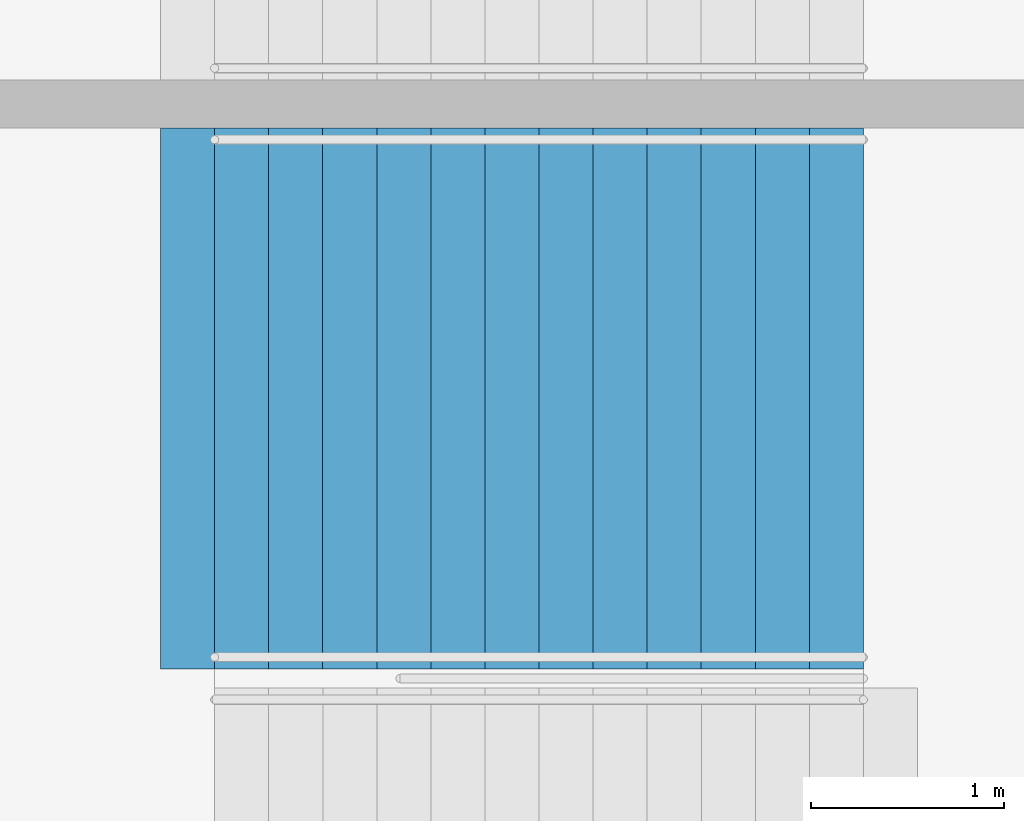
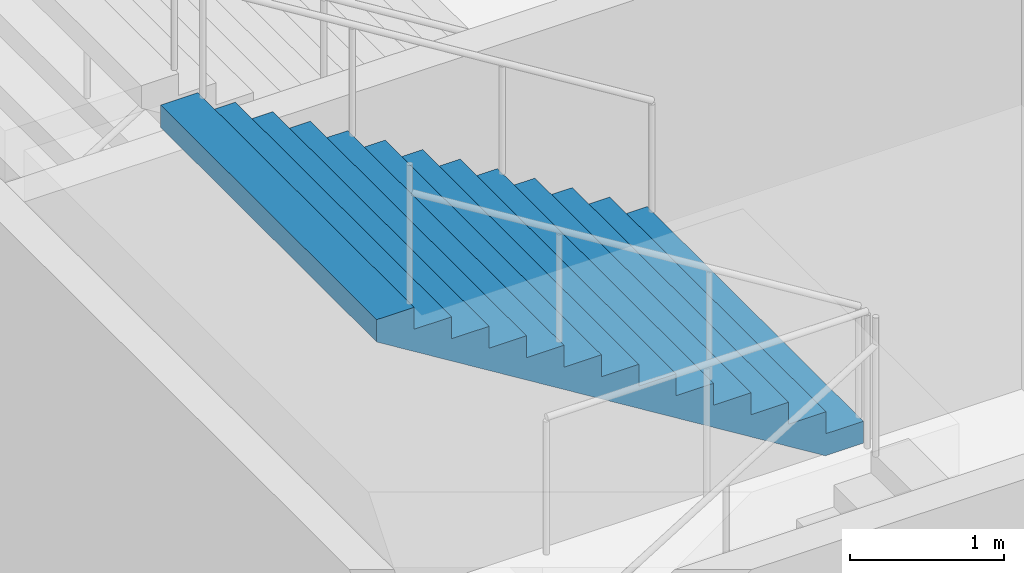
# One storey, part 95 of 175: 1 stair flight, 1 element without a shape of its own.
"""IFC4 building model written with IfcOpenShell, lengths in metres."""

from ifc_helpers import new_model, si_unit, direction, frame, origin, place, context, subcontext, project, spatial, faceted_brep, material, type_object, element, aggregate, save


model = new_model("IFC4")

# Units and contexts
model_context = context("Model", 3, precision=1e-05, world=origin(), true_north=direction((0.0, 1.0)))
body_context = subcontext(model_context, "Body", "Model", "MODEL_VIEW")
ifc_project = project(units=[si_unit("LENGTHUNIT", "METRE"), si_unit("AREAUNIT", "SQUARE_METRE"), si_unit("VOLUMEUNIT", "CUBIC_METRE"), si_unit("PLANEANGLEUNIT", "RADIAN"), si_unit("MASSUNIT", "GRAM", prefix="KILO")], contexts=[model_context])

# Site, building, storey
site_placement = place(None, origin())
site = spatial("IfcSite", under=ifc_project, at=site_placement, CompositionType="ELEMENT")
building_placement = place(site_placement, origin())
building = spatial("IfcBuilding", under=site, at=building_placement, Name="Ogive Plaza Stadium", CompositionType="ELEMENT")
storey_placement = place(building_placement, origin())
storey = spatial("IfcBuildingStorey", under=building, at=storey_placement, Name="L00", CompositionType="ELEMENT", Elevation=0.0)

# Stair, stair flight
ifc_material_1 = material(Name="Concrete C40/50", Category="concrete")
stair_type = type_object("IfcStairType", Name="Exit stair", PredefinedType="STRAIGHT_RUN_STAIR", material=ifc_material_1)
stair_placement = place(storey_placement, origin())
stair = element("IfcStair", 1, at=stair_placement, inside=storey, type_object=stair_type, Name="Exit stair ST08A L00 to L01", PredefinedType="STRAIGHT_RUN_STAIR")
ifc_material_2 = material(Name="Concrete C40/50", Category="concrete")
stair_flight_type = type_object("IfcStairFlightType", Name="Exit stair flight", PredefinedType="STRAIGHT", material=ifc_material_2)
stair_flight_placement = place(storey_placement, frame((79.7099609375, -54.02490234375, 2.25), z_axis=(0.0, 0.0, 1.0), x_axis=(-1.0, 0.0, 0.0)))
stair_flight = element("IfcStairFlight", 2, at=stair_flight_placement, type_object=stair_flight_type, Name="ST08A flight 2", NumberOfRisers=13, NumberOfTreads=12, PredefinedType="STRAIGHT", RiserHeight=0.173076923, TreadLength=0.28, context=body_context, shape_type="Brep", body=[
    faceted_brep([(0.28515625, -1.39990234375, 0.0), (3.639892578125, -1.39990234375, 2.07373046875), (3.639892578125, -1.39990234375, 2.25), (3.360107421875, -1.39990234375, 2.25), (3.360107421875, -1.39990234375, 2.076904296875), (3.080078125, -1.39990234375, 2.076904296875), (3.080078125, -1.39990234375, 1.90380859375), (2.800048828125, -1.39990234375, 1.90380859375), (2.800048828125, -1.39990234375, 1.730712890625), (2.52001953125, -1.39990234375, 1.730712890625), (2.52001953125, -1.39990234375, 1.5576171875), (2.239990234375, -1.39990234375, 1.5576171875), (2.239990234375, -1.39990234375, 1.384521484375), (1.9599609375, -1.39990234375, 1.384521484375), (1.9599609375, -1.39990234375, 1.21142578125), (1.679931640625, -1.39990234375, 1.21142578125), (1.679931640625, -1.39990234375, 1.03857421875), (1.39990234375, -1.39990234375, 1.03857421875), (1.39990234375, -1.39990234375, 0.865478515625), (1.1201171875, -1.39990234375, 0.865478515625), (1.1201171875, -1.39990234375, 0.6923828125), (0.840087890625, -1.39990234375, 0.6923828125), (0.840087890625, -1.39990234375, 0.519287109375), (0.56005859375, -1.39990234375, 0.519287109375), (0.56005859375, -1.39990234375, 0.34619140625), (0.280029296875, -1.39990234375, 0.34619140625), (0.280029296875, -1.39990234375, 0.173095703125), (0.0, -1.39990234375, 0.173095703125), (0.0, -1.39990234375, 0.0), (0.0, 1.39990234375, 0.0), (0.0, 1.39990234375, 0.173095703125), (0.280029296875, 1.39990234375, 0.173095703125), (0.280029296875, 1.39990234375, 0.34619140625), (0.56005859375, 1.39990234375, 0.34619140625), (0.56005859375, 1.39990234375, 0.519287109375), (0.840087890625, 1.39990234375, 0.519287109375), (0.840087890625, 1.39990234375, 0.6923828125), (1.1201171875, 1.39990234375, 0.6923828125), (1.1201171875, 1.39990234375, 0.865478515625), (1.39990234375, 1.39990234375, 0.865478515625), (1.39990234375, 1.39990234375, 1.03857421875), (1.679931640625, 1.39990234375, 1.03857421875), (1.679931640625, 1.39990234375, 1.21142578125), (1.9599609375, 1.39990234375, 1.21142578125), (1.9599609375, 1.39990234375, 1.384521484375), (2.239990234375, 1.39990234375, 1.384521484375), (2.239990234375, 1.39990234375, 1.5576171875), (2.52001953125, 1.39990234375, 1.5576171875), (2.52001953125, 1.39990234375, 1.730712890625), (2.800048828125, 1.39990234375, 1.730712890625), (2.800048828125, 1.39990234375, 1.90380859375), (3.080078125, 1.39990234375, 1.90380859375), (3.080078125, 1.39990234375, 2.076904296875), (3.360107421875, 1.39990234375, 2.076904296875), (3.360107421875, 1.39990234375, 2.25), (3.639892578125, 1.39990234375, 2.25), (3.639892578125, 1.39990234375, 2.07373046875), (0.28515625, 1.39990234375, 0.0), (0.28515625, -1.0888671875, 0.0), (3.639892578125, -1.0888671875, 2.07373046875), (0.28515625, -0.77783203125, 0.0), (3.639892578125, -0.77783203125, 2.07373046875), (0.28515625, -0.466796875, 0.0), (3.639892578125, -0.466796875, 2.07373046875), (0.28515625, -0.155517578125, 0.0), (3.639892578125, -0.155517578125, 2.07373046875), (0.28515625, 0.155517578125, 0.0), (3.639892578125, 0.155517578125, 2.07373046875), (0.28515625, 0.466796875, 0.0), (3.639892578125, 0.466796875, 2.07373046875), (0.28515625, 0.77783203125, 0.0), (3.639892578125, 0.77783203125, 2.07373046875), (0.28515625, 1.0888671875, 0.0), (3.639892578125, 1.0888671875, 2.07373046875), (3.639892578125, -1.0888671875, 2.25), (3.639892578125, -0.77783203125, 2.25), (3.639892578125, -0.466796875, 2.25), (3.639892578125, -0.155517578125, 2.25), (3.639892578125, 0.155517578125, 2.25), (3.639892578125, 0.466796875, 2.25), (3.639892578125, 0.77783203125, 2.25), (3.639892578125, 1.0888671875, 2.25), (3.360107421875, -1.0888671875, 2.25), (3.360107421875, -0.77783203125, 2.25), (3.360107421875, -0.466796875, 2.25), (3.360107421875, -0.155517578125, 2.25), (3.360107421875, 0.155517578125, 2.25), (3.360107421875, 0.466796875, 2.25), (3.360107421875, 0.77783203125, 2.25), (3.360107421875, 1.0888671875, 2.25), (3.360107421875, -1.0888671875, 2.076904296875), (3.360107421875, -0.77783203125, 2.076904296875), (3.360107421875, -0.466796875, 2.076904296875), (3.360107421875, -0.155517578125, 2.076904296875), (3.360107421875, 0.155517578125, 2.076904296875), (3.360107421875, 0.466796875, 2.076904296875), (3.360107421875, 0.77783203125, 2.076904296875), (3.360107421875, 1.0888671875, 2.076904296875), (3.080078125, -1.0888671875, 2.076904296875), (3.080078125, -0.77783203125, 2.076904296875), (3.080078125, -0.466796875, 2.076904296875), (3.080078125, -0.155517578125, 2.076904296875), (3.080078125, 0.155517578125, 2.076904296875), (3.080078125, 0.466796875, 2.076904296875), (3.080078125, 0.77783203125, 2.076904296875), (3.080078125, 1.0888671875, 2.076904296875), (3.080078125, -1.0888671875, 1.90380859375), (3.080078125, -0.77783203125, 1.90380859375), (3.080078125, -0.466796875, 1.90380859375), (3.080078125, -0.155517578125, 1.90380859375), (3.080078125, 0.155517578125, 1.90380859375), (3.080078125, 0.466796875, 1.90380859375), (3.080078125, 0.77783203125, 1.90380859375), (3.080078125, 1.0888671875, 1.90380859375), (2.800048828125, -1.0888671875, 1.90380859375), (2.800048828125, -0.77783203125, 1.90380859375), (2.800048828125, -0.466796875, 1.90380859375), (2.800048828125, -0.155517578125, 1.90380859375), (2.800048828125, 0.155517578125, 1.90380859375), (2.800048828125, 0.466796875, 1.90380859375), (2.800048828125, 0.77783203125, 1.90380859375), (2.800048828125, 1.0888671875, 1.90380859375), (2.800048828125, -1.0888671875, 1.730712890625), (2.800048828125, -0.77783203125, 1.730712890625), (2.800048828125, -0.466796875, 1.730712890625), (2.800048828125, -0.155517578125, 1.730712890625), (2.800048828125, 0.155517578125, 1.730712890625), (2.800048828125, 0.466796875, 1.730712890625), (2.800048828125, 0.77783203125, 1.730712890625), (2.800048828125, 1.0888671875, 1.730712890625), (2.52001953125, -1.0888671875, 1.730712890625), (2.52001953125, -0.77783203125, 1.730712890625), (2.52001953125, -0.466796875, 1.730712890625), (2.52001953125, -0.155517578125, 1.730712890625), (2.52001953125, 0.155517578125, 1.730712890625), (2.52001953125, 0.466796875, 1.730712890625), (2.52001953125, 0.77783203125, 1.730712890625), (2.52001953125, 1.0888671875, 1.730712890625), (2.52001953125, -1.0888671875, 1.5576171875), (2.52001953125, -0.77783203125, 1.5576171875), (2.52001953125, -0.466796875, 1.5576171875), (2.52001953125, -0.155517578125, 1.5576171875), (2.52001953125, 0.155517578125, 1.5576171875), (2.52001953125, 0.466796875, 1.5576171875), (2.52001953125, 0.77783203125, 1.5576171875), (2.52001953125, 1.0888671875, 1.5576171875), (2.239990234375, -1.0888671875, 1.5576171875), (2.239990234375, -0.77783203125, 1.5576171875), (2.239990234375, -0.466796875, 1.5576171875), (2.239990234375, -0.155517578125, 1.5576171875), (2.239990234375, 0.155517578125, 1.5576171875), (2.239990234375, 0.466796875, 1.5576171875), (2.239990234375, 0.77783203125, 1.5576171875), (2.239990234375, 1.0888671875, 1.5576171875), (2.239990234375, -1.0888671875, 1.384521484375), (2.239990234375, -0.77783203125, 1.384521484375), (2.239990234375, -0.466796875, 1.384521484375), (2.239990234375, -0.155517578125, 1.384521484375), (2.239990234375, 0.155517578125, 1.384521484375), (2.239990234375, 0.466796875, 1.384521484375), (2.239990234375, 0.77783203125, 1.384521484375), (2.239990234375, 1.0888671875, 1.384521484375), (1.9599609375, -1.0888671875, 1.384521484375), (1.9599609375, -0.77783203125, 1.384521484375), (1.9599609375, -0.466796875, 1.384521484375), (1.9599609375, -0.155517578125, 1.384521484375), (1.9599609375, 0.155517578125, 1.384521484375), (1.9599609375, 0.466796875, 1.384521484375), (1.9599609375, 0.77783203125, 1.384521484375), (1.9599609375, 1.0888671875, 1.384521484375), (1.9599609375, -1.0888671875, 1.21142578125), (1.9599609375, -0.77783203125, 1.21142578125), (1.9599609375, -0.466796875, 1.21142578125), (1.9599609375, -0.155517578125, 1.21142578125), (1.9599609375, 0.155517578125, 1.21142578125), (1.9599609375, 0.466796875, 1.21142578125), (1.9599609375, 0.77783203125, 1.21142578125), (1.9599609375, 1.0888671875, 1.21142578125), (1.679931640625, -1.0888671875, 1.21142578125), (1.679931640625, -0.77783203125, 1.21142578125), (1.679931640625, -0.466796875, 1.21142578125), (1.679931640625, -0.155517578125, 1.21142578125), (1.679931640625, 0.155517578125, 1.21142578125), (1.679931640625, 0.466796875, 1.21142578125), (1.679931640625, 0.77783203125, 1.21142578125), (1.679931640625, 1.0888671875, 1.21142578125), (1.679931640625, -1.0888671875, 1.03857421875), (1.679931640625, -0.77783203125, 1.03857421875), (1.679931640625, -0.466796875, 1.03857421875), (1.679931640625, -0.155517578125, 1.03857421875), (1.679931640625, 0.155517578125, 1.03857421875), (1.679931640625, 0.466796875, 1.03857421875), (1.679931640625, 0.77783203125, 1.03857421875), (1.679931640625, 1.0888671875, 1.03857421875), (1.39990234375, -1.0888671875, 1.03857421875), (1.39990234375, -0.77783203125, 1.03857421875), (1.39990234375, -0.466796875, 1.03857421875), (1.39990234375, -0.155517578125, 1.03857421875), (1.39990234375, 0.155517578125, 1.03857421875), (1.39990234375, 0.466796875, 1.03857421875), (1.39990234375, 0.77783203125, 1.03857421875), (1.39990234375, 1.0888671875, 1.03857421875), (1.39990234375, -1.0888671875, 0.865478515625), (1.39990234375, -0.77783203125, 0.865478515625), (1.39990234375, -0.466796875, 0.865478515625), (1.39990234375, -0.155517578125, 0.865478515625), (1.39990234375, 0.155517578125, 0.865478515625), (1.39990234375, 0.466796875, 0.865478515625), (1.39990234375, 0.77783203125, 0.865478515625), (1.39990234375, 1.0888671875, 0.865478515625), (1.1201171875, -1.0888671875, 0.865478515625), (1.1201171875, -0.77783203125, 0.865478515625), (1.1201171875, -0.466796875, 0.865478515625), (1.1201171875, -0.155517578125, 0.865478515625), (1.1201171875, 0.155517578125, 0.865478515625), (1.1201171875, 0.466796875, 0.865478515625), (1.1201171875, 0.77783203125, 0.865478515625), (1.1201171875, 1.0888671875, 0.865478515625), (1.1201171875, -1.0888671875, 0.6923828125), (1.1201171875, -0.77783203125, 0.6923828125), (1.1201171875, -0.466796875, 0.6923828125), (1.1201171875, -0.155517578125, 0.6923828125), (1.1201171875, 0.155517578125, 0.6923828125), (1.1201171875, 0.466796875, 0.6923828125), (1.1201171875, 0.77783203125, 0.6923828125), (1.1201171875, 1.0888671875, 0.6923828125), (0.840087890625, -1.0888671875, 0.6923828125), (0.840087890625, -0.77783203125, 0.6923828125), (0.840087890625, -0.466796875, 0.6923828125), (0.840087890625, -0.155517578125, 0.6923828125), (0.840087890625, 0.155517578125, 0.6923828125), (0.840087890625, 0.466796875, 0.6923828125), (0.840087890625, 0.77783203125, 0.6923828125), (0.840087890625, 1.0888671875, 0.6923828125), (0.840087890625, -1.0888671875, 0.519287109375), (0.840087890625, -0.77783203125, 0.519287109375), (0.840087890625, -0.466796875, 0.519287109375), (0.840087890625, -0.155517578125, 0.519287109375), (0.840087890625, 0.155517578125, 0.519287109375), (0.840087890625, 0.466796875, 0.519287109375), (0.840087890625, 0.77783203125, 0.519287109375), (0.840087890625, 1.0888671875, 0.519287109375), (0.56005859375, -1.0888671875, 0.519287109375), (0.56005859375, -0.77783203125, 0.519287109375), (0.56005859375, -0.466796875, 0.519287109375), (0.56005859375, -0.155517578125, 0.519287109375), (0.56005859375, 0.155517578125, 0.519287109375), (0.56005859375, 0.466796875, 0.519287109375), (0.56005859375, 0.77783203125, 0.519287109375), (0.56005859375, 1.0888671875, 0.519287109375), (0.56005859375, -1.0888671875, 0.34619140625), (0.56005859375, -0.77783203125, 0.34619140625), (0.56005859375, -0.466796875, 0.34619140625), (0.56005859375, -0.155517578125, 0.34619140625), (0.56005859375, 0.155517578125, 0.34619140625), (0.56005859375, 0.466796875, 0.34619140625), (0.56005859375, 0.77783203125, 0.34619140625), (0.56005859375, 1.0888671875, 0.34619140625), (0.280029296875, -1.0888671875, 0.34619140625), (0.280029296875, -0.77783203125, 0.34619140625), (0.280029296875, -0.466796875, 0.34619140625), (0.280029296875, -0.155517578125, 0.34619140625), (0.280029296875, 0.155517578125, 0.34619140625), (0.280029296875, 0.466796875, 0.34619140625), (0.280029296875, 0.77783203125, 0.34619140625), (0.280029296875, 1.0888671875, 0.34619140625), (0.280029296875, -1.0888671875, 0.173095703125), (0.280029296875, -0.77783203125, 0.173095703125), (0.280029296875, -0.466796875, 0.173095703125), (0.280029296875, -0.155517578125, 0.173095703125), (0.280029296875, 0.155517578125, 0.173095703125), (0.280029296875, 0.466796875, 0.173095703125), (0.280029296875, 0.77783203125, 0.173095703125), (0.280029296875, 1.0888671875, 0.173095703125), (0.0, -1.0888671875, 0.173095703125), (0.0, -0.77783203125, 0.173095703125), (0.0, -0.466796875, 0.173095703125), (0.0, -0.155517578125, 0.173095703125), (0.0, 0.155517578125, 0.173095703125), (0.0, 0.466796875, 0.173095703125), (0.0, 0.77783203125, 0.173095703125), (0.0, 1.0888671875, 0.173095703125), (0.0, -1.0888671875, 0.0), (0.0, -0.77783203125, 0.0), (0.0, -0.466796875, 0.0), (0.0, -0.155517578125, 0.0), (0.0, 0.155517578125, 0.0), (0.0, 0.466796875, 0.0), (0.0, 0.77783203125, 0.0), (0.0, 1.0888671875, 0.0)], [[[0, 1, 2, 3, 4, 5, 6, 7, 8, 9, 10, 11, 12, 13, 14, 15, 16, 17, 18, 19, 20, 21, 22, 23, 24, 25, 26, 27, 28]], [[29, 30, 31, 32, 33, 34, 35, 36, 37, 38, 39, 40, 41, 42, 43, 44, 45, 46, 47, 48, 49, 50, 51, 52, 53, 54, 55, 56, 57]], [[0, 58, 59, 1]], [[58, 60, 61, 59]], [[60, 62, 63, 61]], [[62, 64, 65, 63]], [[64, 66, 67, 65]], [[66, 68, 69, 67]], [[68, 70, 71, 69]], [[70, 72, 73, 71]], [[72, 57, 56, 73]], [[1, 59, 74, 2]], [[59, 61, 75, 74]], [[61, 63, 76, 75]], [[63, 65, 77, 76]], [[65, 67, 78, 77]], [[67, 69, 79, 78]], [[69, 71, 80, 79]], [[71, 73, 81, 80]], [[73, 56, 55, 81]], [[2, 74, 82, 3]], [[74, 75, 83, 82]], [[75, 76, 84, 83]], [[76, 77, 85, 84]], [[77, 78, 86, 85]], [[78, 79, 87, 86]], [[79, 80, 88, 87]], [[80, 81, 89, 88]], [[81, 55, 54, 89]], [[3, 82, 90, 4]], [[82, 83, 91, 90]], [[83, 84, 92, 91]], [[84, 85, 93, 92]], [[85, 86, 94, 93]], [[86, 87, 95, 94]], [[87, 88, 96, 95]], [[88, 89, 97, 96]], [[89, 54, 53, 97]], [[4, 90, 98, 5]], [[90, 91, 99, 98]], [[91, 92, 100, 99]], [[92, 93, 101, 100]], [[93, 94, 102, 101]], [[94, 95, 103, 102]], [[95, 96, 104, 103]], [[96, 97, 105, 104]], [[97, 53, 52, 105]], [[5, 98, 106, 6]], [[98, 99, 107, 106]], [[99, 100, 108, 107]], [[100, 101, 109, 108]], [[101, 102, 110, 109]], [[102, 103, 111, 110]], [[103, 104, 112, 111]], [[104, 105, 113, 112]], [[105, 52, 51, 113]], [[6, 106, 114, 7]], [[106, 107, 115, 114]], [[107, 108, 116, 115]], [[108, 109, 117, 116]], [[109, 110, 118, 117]], [[110, 111, 119, 118]], [[111, 112, 120, 119]], [[112, 113, 121, 120]], [[113, 51, 50, 121]], [[7, 114, 122, 8]], [[114, 115, 123, 122]], [[115, 116, 124, 123]], [[116, 117, 125, 124]], [[117, 118, 126, 125]], [[118, 119, 127, 126]], [[119, 120, 128, 127]], [[120, 121, 129, 128]], [[121, 50, 49, 129]], [[8, 122, 130, 9]], [[122, 123, 131, 130]], [[123, 124, 132, 131]], [[124, 125, 133, 132]], [[125, 126, 134, 133]], [[126, 127, 135, 134]], [[127, 128, 136, 135]], [[128, 129, 137, 136]], [[129, 49, 48, 137]], [[9, 130, 138, 10]], [[130, 131, 139, 138]], [[131, 132, 140, 139]], [[132, 133, 141, 140]], [[133, 134, 142, 141]], [[134, 135, 143, 142]], [[135, 136, 144, 143]], [[136, 137, 145, 144]], [[137, 48, 47, 145]], [[10, 138, 146, 11]], [[138, 139, 147, 146]], [[139, 140, 148, 147]], [[140, 141, 149, 148]], [[141, 142, 150, 149]], [[142, 143, 151, 150]], [[143, 144, 152, 151]], [[144, 145, 153, 152]], [[145, 47, 46, 153]], [[11, 146, 154, 12]], [[146, 147, 155, 154]], [[147, 148, 156, 155]], [[148, 149, 157, 156]], [[149, 150, 158, 157]], [[150, 151, 159, 158]], [[151, 152, 160, 159]], [[152, 153, 161, 160]], [[153, 46, 45, 161]], [[12, 154, 162, 13]], [[154, 155, 163, 162]], [[155, 156, 164, 163]], [[156, 157, 165, 164]], [[157, 158, 166, 165]], [[158, 159, 167, 166]], [[159, 160, 168, 167]], [[160, 161, 169, 168]], [[161, 45, 44, 169]], [[13, 162, 170, 14]], [[162, 163, 171, 170]], [[163, 164, 172, 171]], [[164, 165, 173, 172]], [[165, 166, 174, 173]], [[166, 167, 175, 174]], [[167, 168, 176, 175]], [[168, 169, 177, 176]], [[169, 44, 43, 177]], [[14, 170, 178, 15]], [[170, 171, 179, 178]], [[171, 172, 180, 179]], [[172, 173, 181, 180]], [[173, 174, 182, 181]], [[174, 175, 183, 182]], [[175, 176, 184, 183]], [[176, 177, 185, 184]], [[177, 43, 42, 185]], [[15, 178, 186, 16]], [[178, 179, 187, 186]], [[179, 180, 188, 187]], [[180, 181, 189, 188]], [[181, 182, 190, 189]], [[182, 183, 191, 190]], [[183, 184, 192, 191]], [[184, 185, 193, 192]], [[185, 42, 41, 193]], [[16, 186, 194, 17]], [[186, 187, 195, 194]], [[187, 188, 196, 195]], [[188, 189, 197, 196]], [[189, 190, 198, 197]], [[190, 191, 199, 198]], [[191, 192, 200, 199]], [[192, 193, 201, 200]], [[193, 41, 40, 201]], [[17, 194, 202, 18]], [[194, 195, 203, 202]], [[195, 196, 204, 203]], [[196, 197, 205, 204]], [[197, 198, 206, 205]], [[198, 199, 207, 206]], [[199, 200, 208, 207]], [[200, 201, 209, 208]], [[201, 40, 39, 209]], [[18, 202, 210, 19]], [[202, 203, 211, 210]], [[203, 204, 212, 211]], [[204, 205, 213, 212]], [[205, 206, 214, 213]], [[206, 207, 215, 214]], [[207, 208, 216, 215]], [[208, 209, 217, 216]], [[209, 39, 38, 217]], [[19, 210, 218, 20]], [[210, 211, 219, 218]], [[211, 212, 220, 219]], [[212, 213, 221, 220]], [[213, 214, 222, 221]], [[214, 215, 223, 222]], [[215, 216, 224, 223]], [[216, 217, 225, 224]], [[217, 38, 37, 225]], [[20, 218, 226, 21]], [[218, 219, 227, 226]], [[219, 220, 228, 227]], [[220, 221, 229, 228]], [[221, 222, 230, 229]], [[222, 223, 231, 230]], [[223, 224, 232, 231]], [[224, 225, 233, 232]], [[225, 37, 36, 233]], [[21, 226, 234, 22]], [[226, 227, 235, 234]], [[227, 228, 236, 235]], [[228, 229, 237, 236]], [[229, 230, 238, 237]], [[230, 231, 239, 238]], [[231, 232, 240, 239]], [[232, 233, 241, 240]], [[233, 36, 35, 241]], [[22, 234, 242, 23]], [[234, 235, 243, 242]], [[235, 236, 244, 243]], [[236, 237, 245, 244]], [[237, 238, 246, 245]], [[238, 239, 247, 246]], [[239, 240, 248, 247]], [[240, 241, 249, 248]], [[241, 35, 34, 249]], [[23, 242, 250, 24]], [[242, 243, 251, 250]], [[243, 244, 252, 251]], [[244, 245, 253, 252]], [[245, 246, 254, 253]], [[246, 247, 255, 254]], [[247, 248, 256, 255]], [[248, 249, 257, 256]], [[249, 34, 33, 257]], [[24, 250, 258, 25]], [[250, 251, 259, 258]], [[251, 252, 260, 259]], [[252, 253, 261, 260]], [[253, 254, 262, 261]], [[254, 255, 263, 262]], [[255, 256, 264, 263]], [[256, 257, 265, 264]], [[257, 33, 32, 265]], [[25, 258, 266, 26]], [[258, 259, 267, 266]], [[259, 260, 268, 267]], [[260, 261, 269, 268]], [[261, 262, 270, 269]], [[262, 263, 271, 270]], [[263, 264, 272, 271]], [[264, 265, 273, 272]], [[265, 32, 31, 273]], [[26, 266, 274, 27]], [[266, 267, 275, 274]], [[267, 268, 276, 275]], [[268, 269, 277, 276]], [[269, 270, 278, 277]], [[270, 271, 279, 278]], [[271, 272, 280, 279]], [[272, 273, 281, 280]], [[273, 31, 30, 281]], [[27, 274, 282, 28]], [[274, 275, 283, 282]], [[275, 276, 284, 283]], [[276, 277, 285, 284]], [[277, 278, 286, 285]], [[278, 279, 287, 286]], [[279, 280, 288, 287]], [[280, 281, 289, 288]], [[281, 30, 29, 289]], [[28, 282, 58, 0]], [[282, 283, 60, 58]], [[283, 284, 62, 60]], [[284, 285, 64, 62]], [[285, 286, 66, 64]], [[286, 287, 68, 66]], [[287, 288, 70, 68]], [[288, 289, 72, 70]], [[289, 29, 57, 72]]]),
])
aggregate(stair, [stair_flight])

save(model, "model.ifc")
